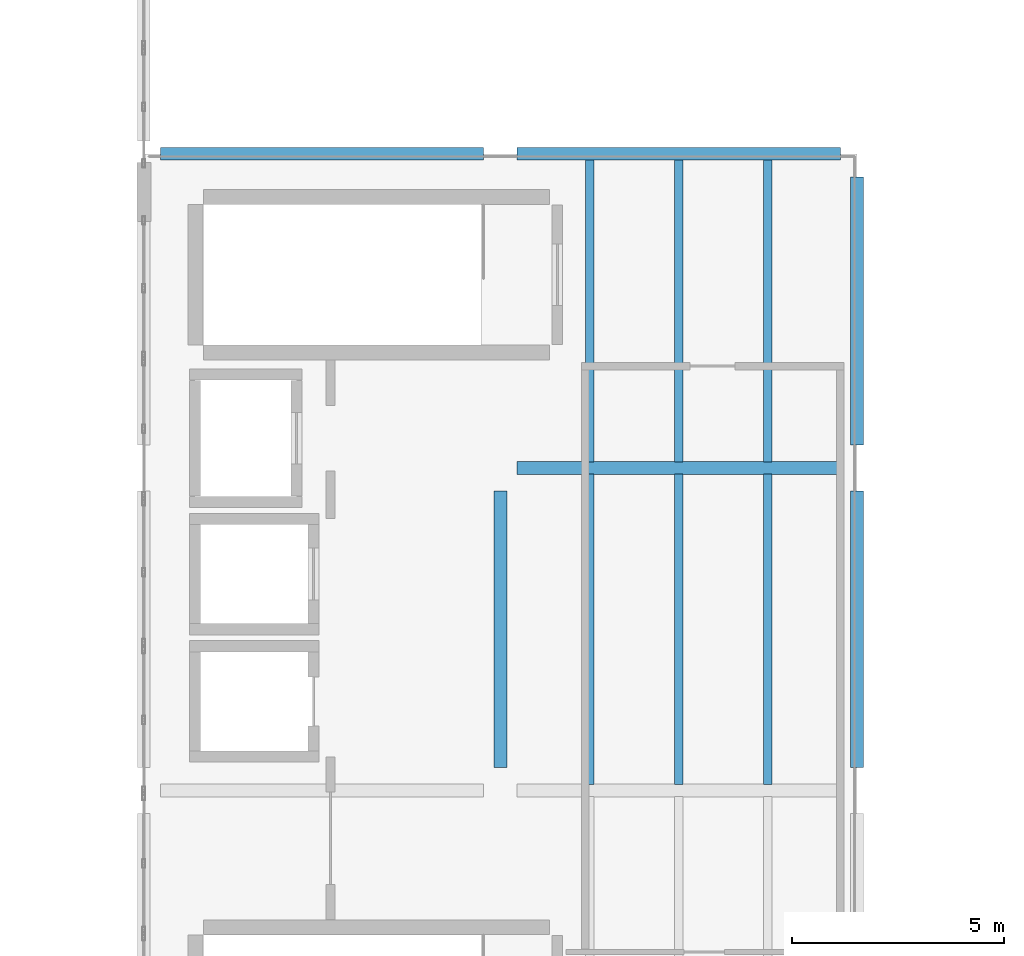
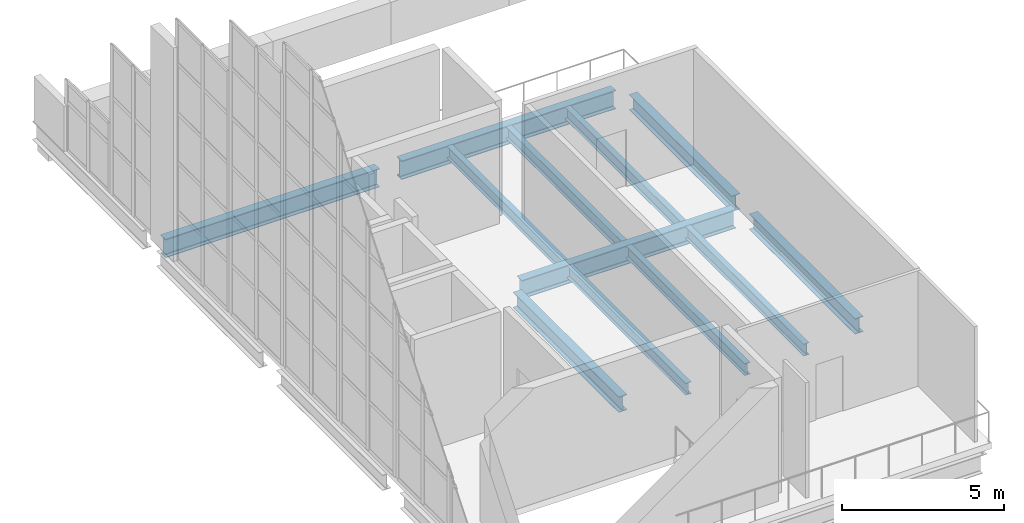
# One storey, part 16 of 37: 12 beams.
"""IFC4 building model written with IfcOpenShell, lengths in metres."""

from ifc_helpers import new_model, si_unit, direction, frame, origin, origin_2d, place, context, subcontext, project, spatial, i_section, extrude, material, material_profile, profile_set, type_object, element, save


model = new_model("IFC4")

# Units and contexts
model_context = context("Model", 3, precision=1e-05, world=origin(), true_north=direction((0.0, 1.0)))
body_context = subcontext(model_context, "Body", "Model", "MODEL_VIEW")
ifc_project = project(units=[si_unit("LENGTHUNIT", "METRE"), si_unit("AREAUNIT", "SQUARE_METRE"), si_unit("VOLUMEUNIT", "CUBIC_METRE"), si_unit("PLANEANGLEUNIT", "RADIAN"), si_unit("MASSUNIT", "GRAM", prefix="KILO")], contexts=[model_context])

# Site, building, storey
site_placement = place(None, origin())
site = spatial("IfcSite", under=ifc_project, at=site_placement, CompositionType="ELEMENT")
building_placement = place(site_placement, origin())
building = spatial("IfcBuilding", under=site, at=building_placement, Name="Shengluoqiao Park Theatre", CompositionType="ELEMENT")
storey_placement = place(building_placement, frame((0.0, 0.0, 19.199951171875)))
storey = spatial("IfcBuildingStorey", under=building, at=storey_placement, Name="L04", CompositionType="ELEMENT", Elevation=19.199951171875)

# Beams
ifc_material_1 = material(Name="Steel Q355", Category="steel")
ifc_material_profile_1 = material_profile(ifc_material_1, i_section(OverallWidth=0.300048828125, OverallDepth=0.587890625, WebThickness=0.011962890625, FlangeThickness=0.02001953125, FilletRadius=0.02392578125, at=origin_2d()), Name="HM 588x300x12x20")
ifc_profile_set_1 = profile_set([ifc_material_profile_1], Name="Steel Q355")
beam_type_1 = type_object("IfcBeamType", Name="STR-BM-G-HM588", PredefinedType="BEAM", material=ifc_profile_set_1)
for number, where, z_axis, x_axis, name in (
    (1, (52.800048828125, 92.14404296875, -0.533935546875), (0.0, 1.0, 0.0), (-1.0, 0.0, 0.0), "L04 Transverse Girder 01499"),
    (2, (61.199951171875, 92.14404296875, -0.533935546875), (0.0, 1.0, 0.0), (-1.0, 0.0, 0.0), "L04 Transverse Girder 01501"),
):
    element("IfcBeam", number, at=place(storey_placement, frame(where, z_axis=z_axis, x_axis=x_axis)), inside=storey, type_object=beam_type_1, Name=name, PredefinedType="BEAM", context=body_context, shape_type="SweptSolid", body=[
        extrude(i_section(OverallWidth=0.300048828125, OverallDepth=0.587890625, WebThickness=0.011962890625, FlangeThickness=0.02001953125, FilletRadius=0.02392578125, at=origin_2d()), origin(), (0.0, 0.0, 1.0), 6.511962890625),
    ])
beam_1_placement = place(storey_placement, frame((61.199951171875, 99.743896484375, -0.533935546875), z_axis=(0.0, 1.0, 0.0), x_axis=(-1.0, 0.0, 0.0)))
element("IfcBeam", 3, at=beam_1_placement, inside=storey, type_object=beam_type_1, Name="L04 Transverse Girder 01502", PredefinedType="BEAM", context=body_context, shape_type="SweptSolid", body=[
    extrude(i_section(OverallWidth=0.300048828125, OverallDepth=0.587890625, WebThickness=0.011962890625, FlangeThickness=0.02001953125, FilletRadius=0.02392578125, at=origin_2d()), origin(), (0.0, 0.0, 1.0), 6.31201171875),
])
ifc_material_2 = material(Name="Steel Q390", Category="steel")
ifc_material_profile_2 = material_profile(ifc_material_2, i_section(OverallWidth=0.300048828125, OverallDepth=0.699951171875, WebThickness=0.012939453125, FlangeThickness=0.02392578125, FilletRadius=0.02392578125, at=origin_2d()), Name="HN 700x300x13x24")
ifc_profile_set_2 = profile_set([ifc_material_profile_2], Name="Steel Q390")
beam_type_2 = type_object("IfcBeamType", Name="STR-BM-G-HN700", PredefinedType="BEAM", material=ifc_profile_set_2)
beam_2_placement = place(storey_placement, frame((53.194091796875, 99.199951171875, -0.58984375), z_axis=(1.0, 0.0, 0.0), x_axis=(0.0, 1.0, 0.0)))
element("IfcBeam", 4, at=beam_2_placement, inside=storey, type_object=beam_type_2, Name="L04 Primary Girder 01493", PredefinedType="BEAM", context=body_context, shape_type="SweptSolid", body=[
    extrude(i_section(OverallWidth=0.300048828125, OverallDepth=0.699951171875, WebThickness=0.012939453125, FlangeThickness=0.02392578125, FilletRadius=0.02392578125, at=origin_2d()), origin(), (0.0, 0.0, 1.0), 7.61181640625),
])
beam_3_placement = place(storey_placement, frame((44.7939453125, 106.60009765625, -0.58984375), z_axis=(1.0, 0.0, 0.0), x_axis=(0.0, 1.0, 0.0)))
element("IfcBeam", 5, at=beam_3_placement, inside=storey, type_object=beam_type_2, Name="L04 Primary Girder 01494", PredefinedType="BEAM", context=body_context, shape_type="SweptSolid", body=[
    extrude(i_section(OverallWidth=0.300048828125, OverallDepth=0.699951171875, WebThickness=0.012939453125, FlangeThickness=0.02392578125, FilletRadius=0.02392578125, at=origin_2d()), origin(), (0.0, 0.0, 1.0), 7.612060546875),
])
beam_4_placement = place(storey_placement, frame((53.194091796875, 106.60009765625, -0.58984375), z_axis=(1.0, 0.0, 0.0), x_axis=(0.0, 1.0, 0.0)))
element("IfcBeam", 6, at=beam_4_placement, inside=storey, type_object=beam_type_2, Name="L04 Primary Girder 01495", PredefinedType="BEAM", context=body_context, shape_type="SweptSolid", body=[
    extrude(i_section(OverallWidth=0.300048828125, OverallDepth=0.699951171875, WebThickness=0.012939453125, FlangeThickness=0.02392578125, FilletRadius=0.02392578125, at=origin_2d()), origin(), (0.0, 0.0, 1.0), 7.61181640625),
])
ifc_material_profile_3 = material_profile(ifc_material_1, i_section(OverallWidth=0.199951171875, OverallDepth=0.449951171875, WebThickness=0.009033203125, FlangeThickness=0.013916015625, FilletRadius=0.01611328125, at=origin_2d()), Name="HN 450x200x9x14")
ifc_profile_set_3 = profile_set([ifc_material_profile_3], Name="Steel Q355")
beam_type_3 = type_object("IfcBeamType", Name="STR-BM-J-HN450", PredefinedType="JOIST", material=ifc_profile_set_3)
for number, where, z_axis, x_axis, name in (
    (7, (54.89990234375, 91.7451171875, -0.46484375), (0.0, 1.0, 0.0), (-1.0, 0.0, 0.0), "L04 Composite Joist 01506"),
    (8, (57.0, 91.7451171875, -0.46484375), (0.0, 1.0, 0.0), (-1.0, 0.0, 0.0), "L04 Composite Joist 01507"),
    (9, (59.10009765625, 91.7451171875, -0.46484375), (0.0, 1.0, 0.0), (-1.0, 0.0, 0.0), "L04 Composite Joist 01508"),
):
    element("IfcBeam", number, at=place(storey_placement, frame(where, z_axis=z_axis, x_axis=x_axis)), inside=storey, type_object=beam_type_3, Name=name, PredefinedType="JOIST", context=body_context, shape_type="SweptSolid", body=[
        extrude(i_section(OverallWidth=0.199951171875, OverallDepth=0.449951171875, WebThickness=0.009033203125, FlangeThickness=0.013916015625, FilletRadius=0.01611328125, at=origin_2d()), origin(), (0.0, 0.0, 1.0), 7.309814453125),
    ])
for number, where, z_axis, x_axis, name in (
    (10, (54.89990234375, 99.344970703125, -0.46484375), (0.0, 1.0, 0.0), (-1.0, 0.0, 0.0), "L04 Composite Joist 01509"),
    (11, (57.0, 99.344970703125, -0.46484375), (0.0, 1.0, 0.0), (-1.0, 0.0, 0.0), "L04 Composite Joist 01510"),
    (12, (59.10009765625, 99.344970703125, -0.46484375), (0.0, 1.0, 0.0), (-1.0, 0.0, 0.0), "L04 Composite Joist 01511"),
):
    element("IfcBeam", number, at=place(storey_placement, frame(where, z_axis=z_axis, x_axis=x_axis)), inside=storey, type_object=beam_type_3, Name=name, PredefinedType="JOIST", context=body_context, shape_type="SweptSolid", body=[
        extrude(i_section(OverallWidth=0.199951171875, OverallDepth=0.449951171875, WebThickness=0.009033203125, FlangeThickness=0.013916015625, FilletRadius=0.01611328125, at=origin_2d()), origin(), (0.0, 0.0, 1.0), 7.110107421875),
    ])

save(model, "model.ifc")
